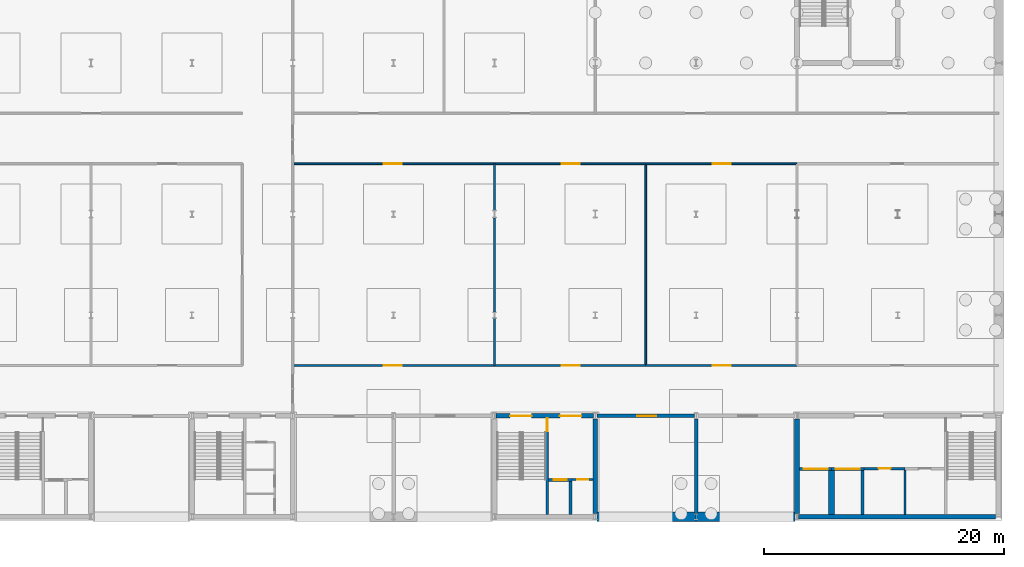
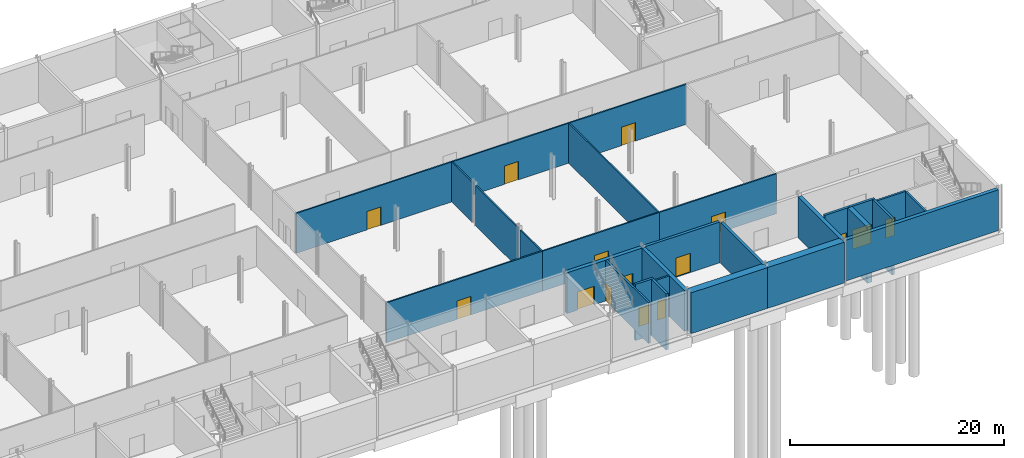
# One storey, part 16 of 22: 28 walls, 15 doors, 15 openings.
"""IFC4 building model written with IfcOpenShell, lengths in metres."""

from ifc_helpers import new_model, si_unit, direction, frame, frame_2d, origin, place, context, subcontext, project, spatial, rectangle, extrude, material, layer, layer_set, type_object, element, fill, save


model = new_model("IFC4")

# Units and contexts
model_context = context("Model", 3, precision=1e-05, world=origin(), true_north=direction((0.0, 1.0)))
body_context = subcontext(model_context, "Body", "Model", "MODEL_VIEW")
ifc_project = project(units=[si_unit("LENGTHUNIT", "METRE"), si_unit("AREAUNIT", "SQUARE_METRE"), si_unit("VOLUMEUNIT", "CUBIC_METRE"), si_unit("PLANEANGLEUNIT", "RADIAN"), si_unit("MASSUNIT", "GRAM", prefix="KILO")], contexts=[model_context])

# Site, building, storey
site_placement = place(None, origin())
site = spatial("IfcSite", under=ifc_project, at=site_placement, CompositionType="ELEMENT")
building_placement = place(site_placement, origin())
building = spatial("IfcBuilding", under=site, at=building_placement, Name="Galleria Vessillo Department Store", CompositionType="ELEMENT")
storey_placement = place(building_placement, frame((0.0, 0.0, -9.89990234375)))
storey = spatial("IfcBuildingStorey", under=building, at=storey_placement, Name="B2", CompositionType="ELEMENT", Elevation=-9.89990234375)

# Walls
ifc_material_1 = material(Name="Concrete C32/40 reinforced", Category="concrete")
ifc_layer_1 = layer(ifc_material_1, 0.800048828125)
ifc_layer_set_1 = layer_set([ifc_layer_1], Name="Concrete C32/40 reinforced")
wall_type_1 = type_object("IfcWallType", Name="Diaphragm wall 800 mm", PredefinedType="SOLIDWALL", material=ifc_layer_set_1)
wall_1_placement = place(storey_placement, frame((84.14990234375, 0.0, 0.0), z_axis=(0.0, 0.0, 1.0), x_axis=(1.0, 0.0, 0.0)))
element("IfcWall", 1, at=wall_1_placement, inside=storey, type_object=wall_type_1, Name="S-BW-S-B2-07", PredefinedType="SOLIDWALL", context=body_context, shape_type="SweptSolid", body=[
    extrude(rectangle(XDim=8.25, YDim=0.800048828125, at=frame_2d((4.125, 0.0))), origin(), (0.0, 0.0, 1.0), 4.64990234375),
])
wall_2_placement = place(storey_placement, frame((92.39990234375, 0.0, 0.0), z_axis=(0.0, 0.0, 1.0), x_axis=(1.0, 0.0, 0.0)))
element("IfcWall", 2, at=wall_2_placement, inside=storey, type_object=wall_type_1, Name="S-BW-S-B2-08", PredefinedType="SOLIDWALL", context=body_context, shape_type="SweptSolid", body=[
    extrude(rectangle(XDim=8.250244140625, YDim=0.800048828125, at=frame_2d((4.125, 0.0))), origin(), (0.0, 0.0, 1.0), 4.64990234375),
])

# Wall, opening, door
ifc_material_2 = material(Name="Brick masonry", Category="masonry")
ifc_layer_2 = layer(ifc_material_2, 0.300048828125)
ifc_layer_set_2 = layer_set([ifc_layer_2], Name="Brick masonry")
wall_type_2 = type_object("IfcWallType", Name="Electrical room masonry wall 300 mm", PredefinedType="SOLIDWALL", material=ifc_layer_set_2)
wall_3_placement = place(storey_placement, frame((84.14990234375, 8.39990234375, 0.0), z_axis=(0.0, 0.0, 1.0), x_axis=(1.0, 0.0, 0.0)))
wall_3 = element("IfcWall", 3, at=wall_3_placement, inside=storey, type_object=wall_type_2, Name="Partition wall PT11 on B2 no. 024", PredefinedType="SOLIDWALL", context=body_context, shape_type="SweptSolid", body=[
    extrude(rectangle(XDim=8.10009765625, YDim=0.300048828125, at=frame_2d((4.050048828125, 0.0))), origin(), (0.0, 0.0, 1.0), 4.64990234375),
])
opening_1_placement = place(wall_3_placement, frame((3.35009765625, 0.0, 0.0)))
opening_1 = element("IfcOpeningElement", 4, at=opening_1_placement, cuts=wall_3, Name="Opening D2019", PredefinedType="OPENING", context=body_context, shape_type="SweptSolid", body=[
    extrude(rectangle(XDim=1.60009765625, YDim=2.199951171875, at=frame_2d((0.800048828125, 1.10009765625))), frame((0.0, 0.16015625, 0.0), z_axis=(0.0, -1.0, 0.0), x_axis=(1.0, 0.0, 0.0)), (0.0, 0.0, 1.0), 0.320068359375),
])
ifc_material_3 = material(Name="Steel fire door leaf", Category="steel")
door_type_1 = type_object("IfcDoorType", Name="Plant room fire door 1600 x 2200 double leaf", OperationType="DOUBLE_DOOR_SINGLE_SWING", PredefinedType="DOOR", material=ifc_material_3)
door_1_placement = place(opening_1_placement, frame((1.60009765625, 0.0, 0.0), z_axis=(0.0, 0.0, 1.0), x_axis=(-1.0, 0.0, 0.0)))
door_1 = element("IfcDoor", 5, at=door_1_placement, inside=storey, type_object=door_type_1, Name="Door D2019", OperationType="DOUBLE_DOOR_SINGLE_SWING", OverallHeight=2.199951171875, OverallWidth=1.60009765625, PredefinedType="DOOR", context=body_context, shape_type="SweptSolid", body=[
    extrude(rectangle(XDim=1.60009765625, YDim=2.199951171875, at=frame_2d((0.800048828125, 1.10009765625))), frame((0.0, 0.02490234375, 0.0), z_axis=(0.0, -1.0, 0.0), x_axis=(1.0, 0.0, 0.0)), (0.0, 0.0, 1.0), 0.050048828125),
])
fill(opening_1, door_1)

# Walls
wall_4_placement = place(storey_placement, frame((92.39990234375, 0.25, 0.0), z_axis=(0.0, 0.0, 1.0), x_axis=(0.0, 1.0, 0.0)))
element("IfcWall", 6, at=wall_4_placement, inside=storey, type_object=wall_type_2, Name="Partition wall PT11 on B2 no. 073", PredefinedType="SOLIDWALL", context=body_context, shape_type="SweptSolid", body=[
    extrude(rectangle(XDim=7.89990234375, YDim=0.300048828125, at=frame_2d((3.949951171875, 0.0))), origin(), (0.0, 0.0, 1.0), 4.64990234375),
])
ifc_material_4 = material(Name="Solid clay block masonry", Category="masonry")
ifc_layer_3 = layer(ifc_material_4, 0.5)
ifc_layer_set_3 = layer_set([ifc_layer_3], Name="Solid clay block masonry")
wall_type_3 = type_object("IfcWallType", Name="Lift shaft partition wall 500 mm", PredefinedType="SOLIDWALL", material=ifc_layer_set_3)
wall_5_placement = place(storey_placement, frame((103.699951171875, 0.199951171875, -1.400146484375), z_axis=(0.0, 0.0, 1.0), x_axis=(0.0, 1.0, 0.0)))
element("IfcWall", 7, at=wall_5_placement, inside=storey, type_object=wall_type_3, Name="Lift shaft partition wall GL1 B2", PredefinedType="SOLIDWALL", context=body_context, shape_type="SweptSolid", body=[
    extrude(rectangle(XDim=3.650146484375, YDim=0.5, at=frame_2d((1.8251953125, 0.0))), origin(), (0.0, 0.0, 1.0), 6.400146484375),
])

# Wall, opening, door
ifc_material_5 = material(Name="Solid clay block masonry", Category="masonry")
ifc_layer_4 = layer(ifc_material_5, 0.25)
ifc_layer_set_4 = layer_set([ifc_layer_4], Name="Solid clay block masonry")
wall_type_4 = type_object("IfcWallType", Name="Lift shaft wall 250 mm", PredefinedType="SOLIDWALL", material=ifc_layer_set_4)
wall_6_placement = place(storey_placement, frame((80.10009765625, 3.074951171875, -1.400146484375), z_axis=(0.0, 0.0, 1.0), x_axis=(1.0, 0.0, 0.0)))
wall_6 = element("IfcWall", 8, at=wall_6_placement, inside=storey, type_object=wall_type_4, Name="Lift shaft wall LP5 landing side B2", PredefinedType="SOLIDWALL", context=body_context, shape_type="SweptSolid", body=[
    extrude(rectangle(XDim=1.949951171875, YDim=0.25, at=frame_2d((0.97509765625, 0.0))), origin(), (0.0, 0.0, 1.0), 6.400146484375),
])
opening_2_placement = place(wall_6_placement, frame((0.4248046875, 0.0, 1.400146484375)))
opening_2 = element("IfcOpeningElement", 9, at=opening_2_placement, cuts=wall_6, Name="Opening LD033", PredefinedType="OPENING", context=body_context, shape_type="SweptSolid", body=[
    extrude(rectangle(XDim=1.10009765625, YDim=2.10009765625, at=frame_2d((0.550048828125, 1.050048828125))), frame((0.0, 0.135009765625, 0.0), z_axis=(0.0, -1.0, 0.0), x_axis=(1.0, 0.0, 0.0)), (0.0, 0.0, 1.0), 0.27001953125),
])
ifc_material_6 = material(Name="Stainless steel lift door panel", Category="steel")
door_type_2 = type_object("IfcDoorType", Name="Lift landing door LD110 sliding 1100 x 2100", OperationType="SLIDING_TO_LEFT", PredefinedType="DOOR", material=ifc_material_6)
door_2_placement = place(opening_2_placement, origin())
door_2 = element("IfcDoor", 10, at=door_2_placement, inside=storey, type_object=door_type_2, Name="Lift landing door LP5 B2", OperationType="SLIDING_TO_LEFT", OverallHeight=2.10009765625, OverallWidth=1.10009765625, PredefinedType="DOOR", context=body_context, shape_type="SweptSolid", body=[
    extrude(rectangle(XDim=1.10009765625, YDim=2.10009765625, at=frame_2d((0.550048828125, 1.050048828125))), frame((0.0, 0.02490234375, 0.0), z_axis=(0.0, -1.0, 0.0), x_axis=(1.0, 0.0, 0.0)), (0.0, 0.0, 1.0), 0.050048828125),
])
fill(opening_2, door_2)

# Wall
wall_7_placement = place(storey_placement, frame((81.925048828125, 0.199951171875, -1.400146484375), z_axis=(0.0, 0.0, 1.0), x_axis=(0.0, 1.0, 0.0)))
element("IfcWall", 11, at=wall_7_placement, inside=storey, type_object=wall_type_4, Name="Lift shaft wall LP5 B2", PredefinedType="SOLIDWALL", context=body_context, shape_type="SweptSolid", body=[
    extrude(rectangle(XDim=2.75, YDim=0.25, at=frame_2d((1.375, 0.0))), origin(), (0.0, 0.0, 1.0), 6.400146484375),
])

# Wall, opening, door
wall_8_placement = place(storey_placement, frame((101.0, 3.97509765625, -1.400146484375), z_axis=(0.0, 0.0, 1.0), x_axis=(1.0, 0.0, 0.0)))
wall_8 = element("IfcWall", 12, at=wall_8_placement, inside=storey, type_object=wall_type_4, Name="Lift shaft wall GL1 landing side B2", PredefinedType="SOLIDWALL", context=body_context, shape_type="SweptSolid", body=[
    extrude(rectangle(XDim=2.699951171875, YDim=0.25, at=frame_2d((1.35009765625, 0.0))), origin(), (0.0, 0.0, 1.0), 6.400146484375),
])
opening_3_placement = place(wall_8_placement, frame((0.35009765625, 0.0, 1.400146484375)))
opening_3 = element("IfcOpeningElement", 13, at=opening_3_placement, cuts=wall_8, Name="Opening LD049", PredefinedType="OPENING", context=body_context, shape_type="SweptSolid", body=[
    extrude(rectangle(XDim=2.0, YDim=2.199951171875, at=frame_2d((1.0, 1.10009765625))), frame((0.0, 0.135009765625, 0.0), z_axis=(0.0, -1.0, 0.0), x_axis=(1.0, 0.0, 0.0)), (0.0, 0.0, 1.0), 0.27001953125),
])
ifc_material_7 = material(Name="Stainless steel lift door panel", Category="steel")
door_type_3 = type_object("IfcDoorType", Name="Lift landing door LD200 sliding 2000 x 2200", OperationType="DOUBLE_DOOR_SLIDING", PredefinedType="DOOR", material=ifc_material_7)
door_3_placement = place(opening_3_placement, origin())
door_3 = element("IfcDoor", 14, at=door_3_placement, inside=storey, type_object=door_type_3, Name="Lift landing door GL1 B2", OperationType="DOUBLE_DOOR_SLIDING", OverallHeight=2.199951171875, OverallWidth=2.0, PredefinedType="DOOR", context=body_context, shape_type="SweptSolid", body=[
    extrude(rectangle(XDim=2.0, YDim=2.199951171875, at=frame_2d((1.0, 1.10009765625))), frame((0.0, 0.02490234375, 0.0), z_axis=(0.0, -1.0, 0.0), x_axis=(1.0, 0.0, 0.0)), (0.0, 0.0, 1.0), 0.050048828125),
])
fill(opening_3, door_3)

wall_9_placement = place(storey_placement, frame((103.699951171875, 3.97509765625, -1.400146484375), z_axis=(0.0, 0.0, 1.0), x_axis=(1.0, 0.0, 0.0)))
wall_9 = element("IfcWall", 15, at=wall_9_placement, inside=storey, type_object=wall_type_4, Name="Lift shaft wall GL2 landing side B2", PredefinedType="SOLIDWALL", context=body_context, shape_type="SweptSolid", body=[
    extrude(rectangle(XDim=2.699951171875, YDim=0.25, at=frame_2d((1.35009765625, 0.0))), origin(), (0.0, 0.0, 1.0), 6.400146484375),
])
opening_4_placement = place(wall_9_placement, frame((0.35009765625, 0.0, 1.400146484375)))
opening_4 = element("IfcOpeningElement", 16, at=opening_4_placement, cuts=wall_9, Name="Opening LD050", PredefinedType="OPENING", context=body_context, shape_type="SweptSolid", body=[
    extrude(rectangle(XDim=2.0, YDim=2.199951171875, at=frame_2d((1.0, 1.10009765625))), frame((0.0, 0.135009765625, 0.0), z_axis=(0.0, -1.0, 0.0), x_axis=(1.0, 0.0, 0.0)), (0.0, 0.0, 1.0), 0.27001953125),
])
door_4_placement = place(opening_4_placement, origin())
door_4 = element("IfcDoor", 17, at=door_4_placement, inside=storey, type_object=door_type_3, Name="Lift landing door GL2 B2", OperationType="DOUBLE_DOOR_SLIDING", OverallHeight=2.199951171875, OverallWidth=2.0, PredefinedType="DOOR", context=body_context, shape_type="SweptSolid", body=[
    extrude(rectangle(XDim=2.0, YDim=2.199951171875, at=frame_2d((1.0, 1.10009765625))), frame((0.0, 0.02490234375, 0.0), z_axis=(0.0, -1.0, 0.0), x_axis=(1.0, 0.0, 0.0)), (0.0, 0.0, 1.0), 0.050048828125),
])
fill(opening_4, door_4)

# Wall
wall_10_placement = place(storey_placement, frame((106.27490234375, 0.199951171875, -1.400146484375), z_axis=(0.0, 0.0, 1.0), x_axis=(0.0, 1.0, 0.0)))
element("IfcWall", 18, at=wall_10_placement, inside=storey, type_object=wall_type_4, Name="Lift shaft wall GL2 B2", PredefinedType="SOLIDWALL", context=body_context, shape_type="SweptSolid", body=[
    extrude(rectangle(XDim=3.650146484375, YDim=0.25, at=frame_2d((1.8251953125, 0.0))), origin(), (0.0, 0.0, 1.0), 6.400146484375),
])

# Wall, openings, doors
ifc_material_8 = material(Name="Concrete C32/40 reinforced", Category="concrete")
ifc_layer_5 = layer(ifc_material_8, 0.39990234375)
ifc_layer_set_5 = layer_set([ifc_layer_5], Name="Concrete C32/40 reinforced")
wall_type_5 = type_object("IfcWallType", Name="Reinforced concrete core wall 400 mm", PredefinedType="SHEAR", material=ifc_layer_set_5)
wall_11_placement = place(storey_placement, frame((75.75, 8.39990234375, 0.0), z_axis=(0.0, 0.0, 1.0), x_axis=(1.0, 0.0, 0.0)))
wall_11 = element("IfcWall", 19, at=wall_11_placement, inside=storey, type_object=wall_type_5, Name="S-CW-PC-SE-INTERIOR-B2", PredefinedType="SHEAR", context=body_context, shape_type="SweptSolid", body=[
    extrude(rectangle(XDim=8.10009765625, YDim=0.39990234375, at=frame_2d((4.050048828125, 0.0))), origin(), (0.0, 0.0, 1.0), 4.64990234375),
])
opening_5_placement = place(wall_11_placement, frame((1.14990234375, 0.0, 0.0)))
opening_5 = element("IfcOpeningElement", 20, at=opening_5_placement, cuts=wall_11, Name="Opening D5129", PredefinedType="OPENING", context=body_context, shape_type="SweptSolid", body=[
    extrude(rectangle(XDim=1.800048828125, YDim=2.10009765625, at=frame_2d((0.89990234375, 1.050048828125))), frame((0.0, 0.2099609375, 0.0), z_axis=(0.0, -1.0, 0.0), x_axis=(1.0, 0.0, 0.0)), (0.0, 0.0, 1.0), 0.419921875),
])
opening_6_placement = place(wall_11_placement, frame((5.2998046875, 0.0, 0.0)))
opening_6 = element("IfcOpeningElement", 21, at=opening_6_placement, cuts=wall_11, Name="Opening D5130", PredefinedType="OPENING", context=body_context, shape_type="SweptSolid", body=[
    extrude(rectangle(XDim=1.800048828125, YDim=2.10009765625, at=frame_2d((0.89990234375, 1.050048828125))), frame((0.0, 0.2099609375, 0.0), z_axis=(0.0, -1.0, 0.0), x_axis=(1.0, 0.0, 0.0)), (0.0, 0.0, 1.0), 0.419921875),
])
ifc_material_9 = material(Name="Fire-rated steel door leaf", Category="steel")
door_type_4 = type_object("IfcDoorType", Name="Door D180F double leaf 1800 x 2100", OperationType="DOUBLE_DOOR_SINGLE_SWING", PredefinedType="DOOR", material=ifc_material_9)
door_5_placement = place(opening_5_placement, frame((1.800048828125, 0.0, 0.0), z_axis=(0.0, 0.0, 1.0), x_axis=(-1.0, 0.0, 0.0)))
door_5 = element("IfcDoor", 22, at=door_5_placement, inside=storey, type_object=door_type_4, Name="Lobby door PC-SE-ST-FLOOR B2", OperationType="DOUBLE_DOOR_SINGLE_SWING", OverallHeight=2.10009765625, OverallWidth=1.800048828125, PredefinedType="DOOR", context=body_context, shape_type="SweptSolid", body=[
    extrude(rectangle(XDim=1.800048828125, YDim=2.10009765625, at=frame_2d((0.89990234375, 1.050048828125))), frame((0.0, 0.02490234375, 0.0), z_axis=(0.0, -1.0, 0.0), x_axis=(1.0, 0.0, 0.0)), (0.0, 0.0, 1.0), 0.050048828125),
])
fill(opening_5, door_5)
door_6_placement = place(opening_6_placement, origin())
door_6 = element("IfcDoor", 23, at=door_6_placement, inside=storey, type_object=door_type_4, Name="Lobby door PC-SE-LOBBY-FLOOR B2", OperationType="DOUBLE_DOOR_SINGLE_SWING", OverallHeight=2.10009765625, OverallWidth=1.800048828125, PredefinedType="DOOR", context=body_context, shape_type="SweptSolid", body=[
    extrude(rectangle(XDim=1.800048828125, YDim=2.10009765625, at=frame_2d((0.89990234375, 1.050048828125))), frame((0.0, 0.02490234375, 0.0), z_axis=(0.0, -1.0, 0.0), x_axis=(1.0, 0.0, 0.0)), (0.0, 0.0, 1.0), 0.050048828125),
])
fill(opening_6, door_6)

# Walls
for number, where, z_axis, x_axis, name in (
    (24, (84.0, 0.25, 0.0), (0.0, 0.0, 1.0), (0.0, 1.0, 0.0), "S-CW-PC-SE-EAST-B2"),
    (25, (100.800048828125, 0.25, 0.0), (0.0, 0.0, 1.0), (0.0, 1.0, 0.0), "S-CW-GC-WEST-B2"),
):
    element("IfcWall", number, at=place(storey_placement, frame(where, z_axis=z_axis, x_axis=x_axis)), inside=storey, type_object=wall_type_5, Name=name, PredefinedType="SHEAR", context=body_context, shape_type="SweptSolid", body=[
        extrude(rectangle(XDim=7.89990234375, YDim=0.39990234375, at=frame_2d((3.949951171875, 0.0))), origin(), (0.0, 0.0, 1.0), 4.64990234375),
    ])
ifc_material_10 = material(Name="Concrete C32/40 reinforced", Category="concrete")
ifc_layer_6 = layer(ifc_material_10, 0.39990234375)
ifc_layer_set_6 = layer_set([ifc_layer_6], Name="Concrete C32/40 reinforced")
wall_type_6 = type_object("IfcWallType", Name="Reinforced concrete core wall 400 mm, external", PredefinedType="SHEAR", material=ifc_layer_set_6)
wall_12_placement = place(storey_placement, frame((100.949951171875, 0.0, 0.0), z_axis=(0.0, 0.0, 1.0), x_axis=(1.0, 0.0, 0.0)))
element("IfcWall", 26, at=wall_12_placement, inside=storey, type_object=wall_type_6, Name="S-CW-GC-PARTY-B2", PredefinedType="SHEAR", context=body_context, shape_type="SweptSolid", body=[
    extrude(rectangle(XDim=16.400146484375, YDim=0.39990234375, at=frame_2d((8.2001953125, 0.0))), origin(), (0.0, 0.0, 1.0), 4.64990234375),
])

# Wall, opening, door
ifc_material_11 = material(Name="Concrete C32/40 reinforced", Category="concrete")
ifc_layer_7 = layer(ifc_material_11, 0.199951171875)
ifc_layer_set_7 = layer_set([ifc_layer_7], Name="Concrete C32/40 reinforced")
wall_type_7 = type_object("IfcWallType", Name="Reinforced concrete stair enclosure wall 200 mm", PredefinedType="SHEAR", material=ifc_layer_set_7)
wall_13_placement = place(storey_placement, frame((80.0, 0.199951171875, 0.0), z_axis=(0.0, 0.0, 1.0), x_axis=(0.0, 1.0, 0.0)))
wall_13 = element("IfcWall", 27, at=wall_13_placement, inside=storey, type_object=wall_type_7, Name="Stair enclosure wall PC-SE B2", PredefinedType="SHEAR", context=body_context, shape_type="SweptSolid", body=[
    extrude(rectangle(XDim=8.0, YDim=0.199951171875, at=frame_2d((4.0, 0.0))), origin(), (0.0, 0.0, 1.0), 4.64990234375),
])
opening_7_placement = place(wall_13_placement, frame((6.89990234375, 0.0, 0.0)))
opening_7 = element("IfcOpeningElement", 28, at=opening_7_placement, cuts=wall_13, Name="Opening D5127", PredefinedType="OPENING", context=body_context, shape_type="SweptSolid", body=[
    extrude(rectangle(XDim=1.11009765625, YDim=2.10009765625, at=frame_2d((0.554931640625, 1.050048828125))), frame((0.0, 0.10986328125, 0.0), z_axis=(0.0, -1.0, 0.0), x_axis=(1.0, 0.0, 0.0)), (0.0, 0.0, 1.0), 0.219970703125),
])
ifc_material_12 = material(Name="Fire-rated steel door leaf", Category="steel")
door_type_5 = type_object("IfcDoorType", Name="Door D110F stair door 1100 x 2100", OperationType="SINGLE_SWING_LEFT", PredefinedType="DOOR", material=ifc_material_12)
door_7_placement = place(opening_7_placement, origin())
door_7 = element("IfcDoor", 29, at=door_7_placement, inside=storey, type_object=door_type_5, Name="Stair door PC-SE-ST-LOBBY B2", OperationType="SINGLE_SWING_RIGHT", OverallHeight=2.10009765625, OverallWidth=1.10009765625, PredefinedType="DOOR", context=body_context, shape_type="SweptSolid", body=[
    extrude(rectangle(XDim=1.10009765625, YDim=2.10009765625, at=frame_2d((0.550048828125, 1.050048828125))), frame((0.0, 0.02490234375, 0.0), z_axis=(0.0, -1.0, 0.0), x_axis=(1.0, 0.0, 0.0)), (0.0, 0.0, 1.0), 0.050048828125),
])
fill(opening_7, door_7)

ifc_material_13 = material(Name="Hollow clay block masonry", Category="masonry")
ifc_layer_8 = layer(ifc_material_13, 0.199951171875)
ifc_layer_set_8 = layer_set([ifc_layer_8], Name="Hollow clay block masonry")
wall_type_8 = type_object("IfcWallType", Name="Riser and service room wall 200 mm", PredefinedType="PARTITIONING", material=ifc_layer_set_8)
wall_14_placement = place(storey_placement, frame((82.050048828125, 3.099853515625, 0.0), z_axis=(0.0, 0.0, 1.0), x_axis=(1.0, 0.0, 0.0)))
wall_14 = element("IfcWall", 30, at=wall_14_placement, inside=storey, type_object=wall_type_8, Name="Riser wall PC-SE-RISER B2", PredefinedType="PARTITIONING", context=body_context, shape_type="SweptSolid", body=[
    extrude(rectangle(XDim=1.75, YDim=0.199951171875, at=frame_2d((0.875, 0.0))), origin(), (0.0, 0.0, 1.0), 4.64990234375),
])
opening_8_placement = place(wall_14_placement, frame((0.449951171875, 0.0, 0.0)))
opening_8 = element("IfcOpeningElement", 31, at=opening_8_placement, cuts=wall_14, Name="Opening D5128", PredefinedType="OPENING", context=body_context, shape_type="SweptSolid", body=[
    extrude(rectangle(XDim=0.89990234375, YDim=2.10009765625, at=frame_2d((0.449951171875, 1.050048828125))), frame((0.0, 0.10986328125, 0.0), z_axis=(0.0, -1.0, 0.0), x_axis=(1.0, 0.0, 0.0)), (0.0, 0.0, 1.0), 0.219970703125),
])
ifc_material_14 = material(Name="Fire-rated steel door leaf", Category="steel")
door_type_6 = type_object("IfcDoorType", Name="Door DR90 riser access 900 x 2100", OperationType="SINGLE_SWING_LEFT", PredefinedType="DOOR", material=ifc_material_14)
door_8_placement = place(opening_8_placement, frame((0.89990234375, 0.0, 0.0), z_axis=(0.0, 0.0, 1.0), x_axis=(-1.0, 0.0, 0.0)))
door_8 = element("IfcDoor", 32, at=door_8_placement, inside=storey, type_object=door_type_6, Name="Riser door PC-SE-RISER-D B2", OperationType="SINGLE_SWING_LEFT", OverallHeight=2.10009765625, OverallWidth=0.89990234375, PredefinedType="DOOR", context=body_context, shape_type="SweptSolid", body=[
    extrude(rectangle(XDim=0.89990234375, YDim=2.10009765625, at=frame_2d((0.449951171875, 1.050048828125))), frame((0.0, 0.02490234375, 0.0), z_axis=(0.0, -1.0, 0.0), x_axis=(1.0, 0.0, 0.0)), (0.0, 0.0, 1.0), 0.050048828125),
])
fill(opening_8, door_8)

wall_15_placement = place(storey_placement, frame((106.39990234375, 4.0, 0.0), z_axis=(0.0, 0.0, 1.0), x_axis=(1.0, 0.0, 0.0)))
wall_15 = element("IfcWall", 33, at=wall_15_placement, inside=storey, type_object=wall_type_8, Name="Service room wall GC-SERVICE-1 B2", PredefinedType="PARTITIONING", context=body_context, shape_type="SweptSolid", body=[
    extrude(rectangle(XDim=3.400146484375, YDim=0.199951171875, at=frame_2d((1.7001953125, 0.0))), origin(), (0.0, 0.0, 1.0), 4.64990234375),
])
opening_9_placement = place(wall_15_placement, frame((1.2001953125, 0.0, 0.0)))
opening_9 = element("IfcOpeningElement", 34, at=opening_9_placement, cuts=wall_15, Name="Opening D5220", PredefinedType="OPENING", context=body_context, shape_type="SweptSolid", body=[
    extrude(rectangle(XDim=1.0, YDim=2.10009765625, at=frame_2d((0.5, 1.050048828125))), frame((0.0, 0.10986328125, 0.0), z_axis=(0.0, -1.0, 0.0), x_axis=(1.0, 0.0, 0.0)), (0.0, 0.0, 1.0), 0.219970703125),
])
ifc_material_15 = material(Name="Fire-rated steel door leaf", Category="steel")
door_type_7 = type_object("IfcDoorType", Name="Door D100 service room 1000 x 2100", OperationType="SINGLE_SWING_LEFT", PredefinedType="DOOR", material=ifc_material_15)
door_9_placement = place(opening_9_placement, frame((1.0, 0.0, 0.0), z_axis=(0.0, 0.0, 1.0), x_axis=(-1.0, 0.0, 0.0)))
door_9 = element("IfcDoor", 35, at=door_9_placement, inside=storey, type_object=door_type_7, Name="Service room door GC-SERVICE-1 B2", OperationType="SINGLE_SWING_LEFT", OverallHeight=2.10009765625, OverallWidth=1.0, PredefinedType="DOOR", context=body_context, shape_type="SweptSolid", body=[
    extrude(rectangle(XDim=1.0, YDim=2.10009765625, at=frame_2d((0.5, 1.050048828125))), frame((0.0, 0.02490234375, 0.0), z_axis=(0.0, -1.0, 0.0), x_axis=(1.0, 0.0, 0.0)), (0.0, 0.0, 1.0), 0.050048828125),
])
fill(opening_9, door_9)

# Wall
wall_16_placement = place(storey_placement, frame((109.800048828125, 0.199951171875, 0.0), z_axis=(0.0, 0.0, 1.0), x_axis=(0.0, 1.0, 0.0)))
element("IfcWall", 36, at=wall_16_placement, inside=storey, type_object=wall_type_8, Name="Service room partition GC B2", PredefinedType="PARTITIONING", context=body_context, shape_type="SweptSolid", body=[
    extrude(rectangle(XDim=3.7001953125, YDim=0.199951171875, at=frame_2d((1.85009765625, 0.0))), origin(), (0.0, 0.0, 1.0), 4.64990234375),
])

# Wall, opening, door
ifc_material_16 = material(Name="Concrete blockwork", Category="masonry")
ifc_layer_9 = layer(ifc_material_16, 0.14990234375)
ifc_layer_set_9 = layer_set([ifc_layer_9], Name="Concrete blockwork")
wall_type_9 = type_object("IfcWallType", Name="Stockroom blockwork wall 150 mm", PredefinedType="SOLIDWALL", material=ifc_layer_set_9)
wall_17_placement = place(storey_placement, frame((58.800048828125, 12.60009765625, 0.0), z_axis=(0.0, 0.0, 1.0), x_axis=(1.0, 0.0, 0.0)))
wall_17 = element("IfcWall", 37, at=wall_17_placement, inside=storey, type_object=wall_type_9, Name="Partition wall PT4 on B2 no. 026", PredefinedType="SOLIDWALL", context=body_context, shape_type="SweptSolid", body=[
    extrude(rectangle(XDim=16.800048828125, YDim=0.14990234375, at=frame_2d((8.39990234375, 0.0))), origin(), (0.0, 0.0, 1.0), 4.550048828125),
])
opening_10_placement = place(wall_17_placement, frame((7.60009765625, 0.0, 0.0)))
opening_10 = element("IfcOpeningElement", 38, at=opening_10_placement, cuts=wall_17, Name="Opening D2021", PredefinedType="OPENING", context=body_context, shape_type="SweptSolid", body=[
    extrude(rectangle(XDim=1.5, YDim=2.10009765625, at=frame_2d((0.75, 1.050048828125))), frame((0.0, 0.0849609375, 0.0), z_axis=(0.0, -1.0, 0.0), x_axis=(1.0, 0.0, 0.0)), (0.0, 0.0, 1.0), 0.169921875),
])
ifc_material_17 = material(Name="Steel fire door leaf", Category="steel")
door_type_8 = type_object("IfcDoorType", Name="Stockroom fire door 1500 double leaf", OperationType="DOUBLE_DOOR_SINGLE_SWING", PredefinedType="DOOR", material=ifc_material_17)
door_10_placement = place(opening_10_placement, origin())
door_10 = element("IfcDoor", 39, at=door_10_placement, inside=storey, type_object=door_type_8, Name="Door D2021", OperationType="DOUBLE_DOOR_SINGLE_SWING", OverallHeight=2.10009765625, OverallWidth=1.5, PredefinedType="DOOR", context=body_context, shape_type="SweptSolid", body=[
    extrude(rectangle(XDim=1.5, YDim=2.10009765625, at=frame_2d((0.75, 1.050048828125))), frame((0.0, 0.02490234375, 0.0), z_axis=(0.0, -1.0, 0.0), x_axis=(1.0, 0.0, 0.0)), (0.0, 0.0, 1.0), 0.050048828125),
])
fill(opening_10, door_10)

wall_18_placement = place(storey_placement, frame((75.60009765625, 12.60009765625, 0.0), z_axis=(0.0, 0.0, 1.0), x_axis=(1.0, 0.0, 0.0)))
wall_18 = element("IfcWall", 40, at=wall_18_placement, inside=storey, type_object=wall_type_9, Name="Partition wall PT4 on B2 no. 027", PredefinedType="SOLIDWALL", context=body_context, shape_type="SweptSolid", body=[
    extrude(rectangle(XDim=12.599853515625, YDim=0.14990234375, at=frame_2d((6.2998046875, 0.0))), origin(), (0.0, 0.0, 1.0), 4.550048828125),
])
opening_11_placement = place(wall_18_placement, frame((5.60009765625, 0.0, 0.0)))
opening_11 = element("IfcOpeningElement", 41, at=opening_11_placement, cuts=wall_18, Name="Opening D2022", PredefinedType="OPENING", context=body_context, shape_type="SweptSolid", body=[
    extrude(rectangle(XDim=1.5, YDim=2.10009765625, at=frame_2d((0.75, 1.050048828125))), frame((0.0, 0.0849609375, 0.0), z_axis=(0.0, -1.0, 0.0), x_axis=(1.0, 0.0, 0.0)), (0.0, 0.0, 1.0), 0.169921875),
])
door_11_placement = place(opening_11_placement, origin())
door_11 = element("IfcDoor", 42, at=door_11_placement, inside=storey, type_object=door_type_8, Name="Door D2022", OperationType="DOUBLE_DOOR_SINGLE_SWING", OverallHeight=2.10009765625, OverallWidth=1.5, PredefinedType="DOOR", context=body_context, shape_type="SweptSolid", body=[
    extrude(rectangle(XDim=1.5, YDim=2.10009765625, at=frame_2d((0.75, 1.050048828125))), frame((0.0, 0.02490234375, 0.0), z_axis=(0.0, -1.0, 0.0), x_axis=(1.0, 0.0, 0.0)), (0.0, 0.0, 1.0), 0.050048828125),
])
fill(opening_11, door_11)

wall_19_placement = place(storey_placement, frame((88.199951171875, 12.60009765625, 0.0), z_axis=(0.0, 0.0, 1.0), x_axis=(1.0, 0.0, 0.0)))
wall_19 = element("IfcWall", 43, at=wall_19_placement, inside=storey, type_object=wall_type_9, Name="Partition wall PT4 on B2 no. 028", PredefinedType="SOLIDWALL", context=body_context, shape_type="SweptSolid", body=[
    extrude(rectangle(XDim=12.60009765625, YDim=0.14990234375, at=frame_2d((6.300048828125, 0.0))), origin(), (0.0, 0.0, 1.0), 4.550048828125),
])
opening_12_placement = place(wall_19_placement, frame((5.60009765625, 0.0, 0.0)))
opening_12 = element("IfcOpeningElement", 44, at=opening_12_placement, cuts=wall_19, Name="Opening D2023", PredefinedType="OPENING", context=body_context, shape_type="SweptSolid", body=[
    extrude(rectangle(XDim=1.5, YDim=2.10009765625, at=frame_2d((0.75, 1.050048828125))), frame((0.0, 0.0849609375, 0.0), z_axis=(0.0, -1.0, 0.0), x_axis=(1.0, 0.0, 0.0)), (0.0, 0.0, 1.0), 0.169921875),
])
door_12_placement = place(opening_12_placement, origin())
door_12 = element("IfcDoor", 45, at=door_12_placement, inside=storey, type_object=door_type_8, Name="Door D2023", OperationType="DOUBLE_DOOR_SINGLE_SWING", OverallHeight=2.10009765625, OverallWidth=1.5, PredefinedType="DOOR", context=body_context, shape_type="SweptSolid", body=[
    extrude(rectangle(XDim=1.5, YDim=2.10009765625, at=frame_2d((0.75, 1.050048828125))), frame((0.0, 0.02490234375, 0.0), z_axis=(0.0, -1.0, 0.0), x_axis=(1.0, 0.0, 0.0)), (0.0, 0.0, 1.0), 0.050048828125),
])
fill(opening_12, door_12)

wall_20_placement = place(storey_placement, frame((58.800048828125, 29.39990234375, 0.0), z_axis=(0.0, 0.0, 1.0), x_axis=(1.0, 0.0, 0.0)))
wall_20 = element("IfcWall", 46, at=wall_20_placement, inside=storey, type_object=wall_type_9, Name="Partition wall PT4 on B2 no. 038", PredefinedType="SOLIDWALL", context=body_context, shape_type="SweptSolid", body=[
    extrude(rectangle(XDim=16.800048828125, YDim=0.14990234375, at=frame_2d((8.39990234375, 0.0))), origin(), (0.0, 0.0, 1.0), 4.550048828125),
])
opening_13_placement = place(wall_20_placement, frame((7.60009765625, 0.0, 0.0)))
opening_13 = element("IfcOpeningElement", 47, at=opening_13_placement, cuts=wall_20, Name="Opening D2034", PredefinedType="OPENING", context=body_context, shape_type="SweptSolid", body=[
    extrude(rectangle(XDim=1.5, YDim=2.10009765625, at=frame_2d((0.75, 1.050048828125))), frame((0.0, 0.0849609375, 0.0), z_axis=(0.0, -1.0, 0.0), x_axis=(1.0, 0.0, 0.0)), (0.0, 0.0, 1.0), 0.169921875),
])
door_13_placement = place(opening_13_placement, frame((1.5, 0.0, 0.0), z_axis=(0.0, 0.0, 1.0), x_axis=(-1.0, 0.0, 0.0)))
door_13 = element("IfcDoor", 48, at=door_13_placement, inside=storey, type_object=door_type_8, Name="Door D2034", OperationType="DOUBLE_DOOR_SINGLE_SWING", OverallHeight=2.10009765625, OverallWidth=1.5, PredefinedType="DOOR", context=body_context, shape_type="SweptSolid", body=[
    extrude(rectangle(XDim=1.5, YDim=2.10009765625, at=frame_2d((0.75, 1.050048828125))), frame((0.0, 0.02490234375, 0.0), z_axis=(0.0, -1.0, 0.0), x_axis=(1.0, 0.0, 0.0)), (0.0, 0.0, 1.0), 0.050048828125),
])
fill(opening_13, door_13)

wall_21_placement = place(storey_placement, frame((75.60009765625, 29.39990234375, 0.0), z_axis=(0.0, 0.0, 1.0), x_axis=(1.0, 0.0, 0.0)))
wall_21 = element("IfcWall", 49, at=wall_21_placement, inside=storey, type_object=wall_type_9, Name="Partition wall PT4 on B2 no. 039", PredefinedType="SOLIDWALL", context=body_context, shape_type="SweptSolid", body=[
    extrude(rectangle(XDim=12.599853515625, YDim=0.14990234375, at=frame_2d((6.2998046875, 0.0))), origin(), (0.0, 0.0, 1.0), 4.550048828125),
])
opening_14_placement = place(wall_21_placement, frame((5.60009765625, 0.0, 0.0)))
opening_14 = element("IfcOpeningElement", 50, at=opening_14_placement, cuts=wall_21, Name="Opening D2035", PredefinedType="OPENING", context=body_context, shape_type="SweptSolid", body=[
    extrude(rectangle(XDim=1.5, YDim=2.10009765625, at=frame_2d((0.75, 1.050048828125))), frame((0.0, 0.0849609375, 0.0), z_axis=(0.0, -1.0, 0.0), x_axis=(1.0, 0.0, 0.0)), (0.0, 0.0, 1.0), 0.169921875),
])
door_14_placement = place(opening_14_placement, frame((1.5, 0.0, 0.0), z_axis=(0.0, 0.0, 1.0), x_axis=(-1.0, 0.0, 0.0)))
door_14 = element("IfcDoor", 51, at=door_14_placement, inside=storey, type_object=door_type_8, Name="Door D2035", OperationType="DOUBLE_DOOR_SINGLE_SWING", OverallHeight=2.10009765625, OverallWidth=1.5, PredefinedType="DOOR", context=body_context, shape_type="SweptSolid", body=[
    extrude(rectangle(XDim=1.5, YDim=2.10009765625, at=frame_2d((0.75, 1.050048828125))), frame((0.0, 0.02490234375, 0.0), z_axis=(0.0, -1.0, 0.0), x_axis=(1.0, 0.0, 0.0)), (0.0, 0.0, 1.0), 0.050048828125),
])
fill(opening_14, door_14)

wall_22_placement = place(storey_placement, frame((88.199951171875, 29.39990234375, 0.0), z_axis=(0.0, 0.0, 1.0), x_axis=(1.0, 0.0, 0.0)))
wall_22 = element("IfcWall", 52, at=wall_22_placement, inside=storey, type_object=wall_type_9, Name="Partition wall PT4 on B2 no. 040", PredefinedType="SOLIDWALL", context=body_context, shape_type="SweptSolid", body=[
    extrude(rectangle(XDim=12.60009765625, YDim=0.14990234375, at=frame_2d((6.300048828125, 0.0))), origin(), (0.0, 0.0, 1.0), 4.550048828125),
])
opening_15_placement = place(wall_22_placement, frame((5.60009765625, 0.0, 0.0)))
opening_15 = element("IfcOpeningElement", 53, at=opening_15_placement, cuts=wall_22, Name="Opening D2036", PredefinedType="OPENING", context=body_context, shape_type="SweptSolid", body=[
    extrude(rectangle(XDim=1.5, YDim=2.10009765625, at=frame_2d((0.75, 1.050048828125))), frame((0.0, 0.0849609375, 0.0), z_axis=(0.0, -1.0, 0.0), x_axis=(1.0, 0.0, 0.0)), (0.0, 0.0, 1.0), 0.169921875),
])
door_15_placement = place(opening_15_placement, frame((1.5, 0.0, 0.0), z_axis=(0.0, 0.0, 1.0), x_axis=(-1.0, 0.0, 0.0)))
door_15 = element("IfcDoor", 54, at=door_15_placement, inside=storey, type_object=door_type_8, Name="Door D2036", OperationType="DOUBLE_DOOR_SINGLE_SWING", OverallHeight=2.10009765625, OverallWidth=1.5, PredefinedType="DOOR", context=body_context, shape_type="SweptSolid", body=[
    extrude(rectangle(XDim=1.5, YDim=2.10009765625, at=frame_2d((0.75, 1.050048828125))), frame((0.0, 0.02490234375, 0.0), z_axis=(0.0, -1.0, 0.0), x_axis=(1.0, 0.0, 0.0)), (0.0, 0.0, 1.0), 0.050048828125),
])
fill(opening_15, door_15)

# Walls
wall_23_placement = place(storey_placement, frame((75.60009765625, 12.60009765625, 0.0), z_axis=(0.0, 0.0, 1.0), x_axis=(0.0, 1.0, 0.0)))
element("IfcWall", 55, at=wall_23_placement, inside=storey, type_object=wall_type_9, Name="Partition wall PT4 on B2 no. 081", PredefinedType="SOLIDWALL", context=body_context, shape_type="SweptSolid", body=[
    extrude(rectangle(XDim=3.949951171875, YDim=0.14990234375, at=frame_2d((1.97509765625, 0.0))), origin(), (0.0, 0.0, 1.0), 4.550048828125),
])
wall_24_placement = place(storey_placement, frame((75.60009765625, 17.050048828125, 0.0), z_axis=(0.0, 0.0, 1.0), x_axis=(0.0, 1.0, 0.0)))
element("IfcWall", 56, at=wall_24_placement, inside=storey, type_object=wall_type_9, Name="Partition wall PT4 on B2 no. 082", PredefinedType="SOLIDWALL", context=body_context, shape_type="SweptSolid", body=[
    extrude(rectangle(XDim=7.83984375, YDim=0.14990234375, at=frame_2d((3.919921875, 0.0))), origin(), (0.0, 0.0, 1.0), 4.550048828125),
])
wall_25_placement = place(storey_placement, frame((75.60009765625, 25.510009765625, 0.0), z_axis=(0.0, 0.0, 1.0), x_axis=(0.0, 1.0, 0.0)))
element("IfcWall", 57, at=wall_25_placement, inside=storey, type_object=wall_type_9, Name="Partition wall PT4 on B2 no. 083", PredefinedType="SOLIDWALL", context=body_context, shape_type="SweptSolid", body=[
    extrude(rectangle(XDim=3.889892578125, YDim=0.14990234375, at=frame_2d((1.94482421875, 0.0))), origin(), (0.0, 0.0, 1.0), 4.550048828125),
])
wall_26_placement = place(storey_placement, frame((88.199951171875, 12.60009765625, 0.0), z_axis=(0.0, 0.0, 1.0), x_axis=(0.0, 1.0, 0.0)))
element("IfcWall", 58, at=wall_26_placement, inside=storey, type_object=wall_type_9, Name="Partition wall PT4 on B2 no. 084", PredefinedType="SOLIDWALL", context=body_context, shape_type="SweptSolid", body=[
    extrude(rectangle(XDim=16.7998046875, YDim=0.14990234375, at=frame_2d((8.39990234375, 0.0))), origin(), (0.0, 0.0, 1.0), 4.550048828125),
])

save(model, "model.ifc")
